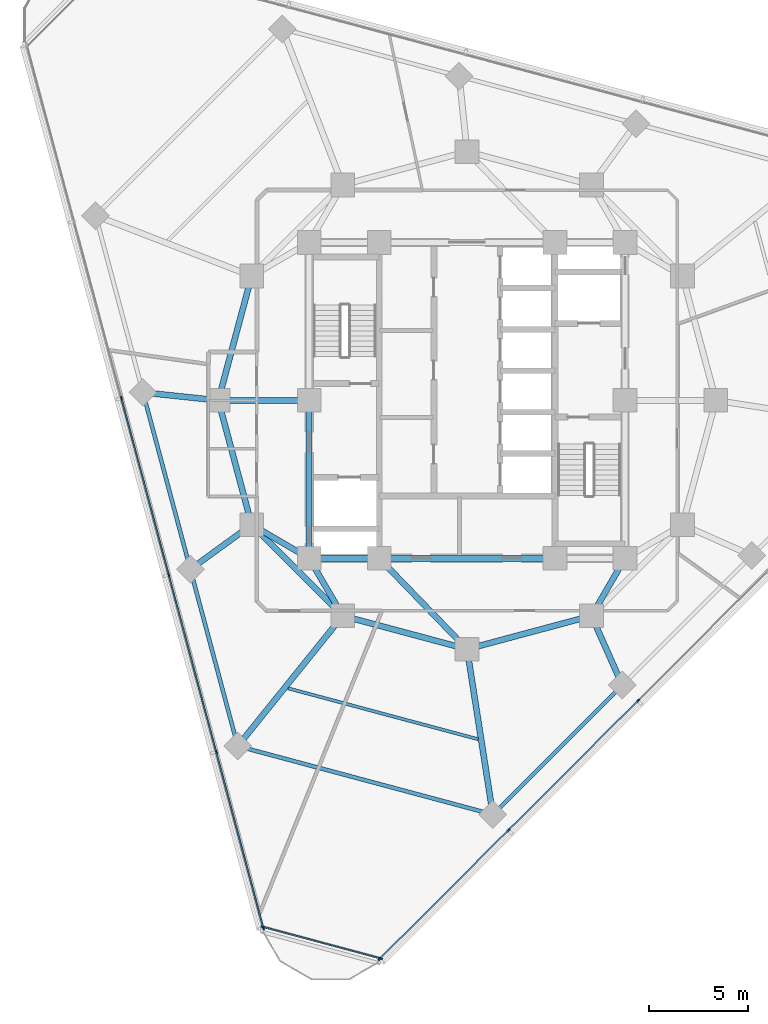
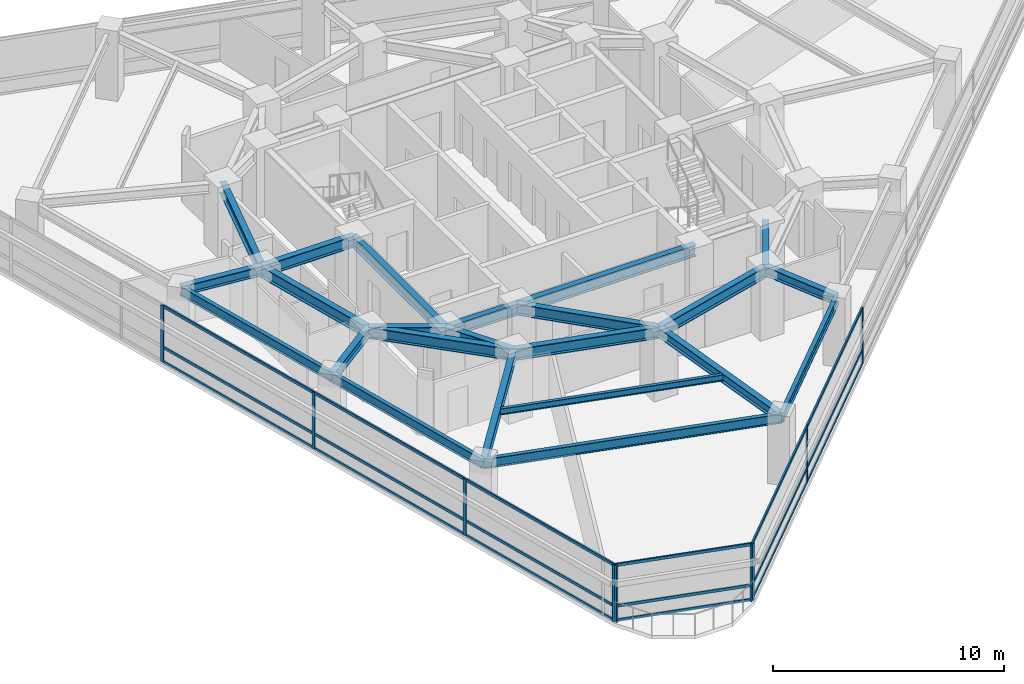
# One storey, part 2 of 13: 27 members, 23 beams, 3 elements without a shape of their own.
"""IFC4 building model written with IfcOpenShell, lengths in metres."""

from ifc_helpers import new_model, si_unit, direction, frame, origin, origin_2d, place, context, subcontext, project, spatial, rectangle, i_section, extrude, material, layer, layer_set, material_profile, profile_set, type_object, element, aggregate, save


model = new_model("IFC4")

# Units and contexts
model_context = context("Model", 3, precision=1e-05, world=origin(), true_north=direction((0.0, 1.0)))
body_context = subcontext(model_context, "Body", "Model", "MODEL_VIEW")
ifc_project = project(units=[si_unit("LENGTHUNIT", "METRE"), si_unit("AREAUNIT", "SQUARE_METRE"), si_unit("VOLUMEUNIT", "CUBIC_METRE"), si_unit("PLANEANGLEUNIT", "RADIAN"), si_unit("MASSUNIT", "GRAM", prefix="KILO")], contexts=[model_context])

# Site, building, storey
site_placement = place(None, origin())
site = spatial("IfcSite", under=ifc_project, at=site_placement, CompositionType="ELEMENT")
building_placement = place(site_placement, origin())
building = spatial("IfcBuilding", under=site, at=building_placement, Name="Terralouvre Media Tower", CompositionType="ELEMENT")
storey_placement = place(building_placement, frame((0.0, 0.0, 195.300048828125)))
storey = spatial("IfcBuildingStorey", under=building, at=storey_placement, Name="L50", CompositionType="ELEMENT", Elevation=195.300048828125)

# Beam
ifc_material_1 = material(Name="Structural steel S355J2", Category="steel")
ifc_material_profile_1 = material_profile(ifc_material_1, i_section(OverallWidth=0.159912109375, OverallDepth=0.330078125, WebThickness=0.007568359375, FlangeThickness=0.011474609375, at=origin_2d()), Name="IPE 330")
ifc_profile_set_1 = profile_set([ifc_material_profile_1], Name="Structural steel S355J2")
beam_type_1 = type_object("IfcBeamType", Name="Composite Floor Joist J-IPE330 (IPE 330)", PredefinedType="JOIST", material=ifc_profile_set_1)
beam_1_placement = place(storey_placement, frame((-9.067626953125, -14.58349609375, 3.3349609375), z_axis=(0.965923672222, -0.258827084055, 0.0), x_axis=(0.258827084055, 0.965923672222, 0.0)))
element("IfcBeam", 1, at=beam_1_placement, inside=storey, type_object=beam_type_1, Name="L50 Framing Beam JT-L50-01", PredefinedType="JOIST", context=body_context, shape_type="SweptSolid", body=[
    extrude(i_section(OverallWidth=0.159912109375, OverallDepth=0.330078125, WebThickness=0.007568359375, FlangeThickness=0.011474609375, at=origin_2d()), origin(), (0.0, 0.0, 1.0), 9.96826171875),
])

# Curtain wall, members
ifc_material_2 = material(Name="Low-iron laminated double glazing with solar-control coating", Category="glass")
ifc_layer_1 = layer(ifc_material_2, 0.1650390625, Name="Production Studio Tower Curtain Wall CW-03")
ifc_layer_set_1 = layer_set([ifc_layer_1], Name="Low-iron laminated double glazing with solar-control coating")
curtain_wall_type_1 = type_object("IfcCurtainWallType", Name="Production Studio Tower Curtain Wall CW-03", PredefinedType="NOTDEFINED", material=ifc_layer_set_1)
curtain_wall_1_placement = place(storey_placement, origin())
curtain_wall_1 = element("IfcCurtainWall", 2, at=curtain_wall_1_placement, inside=storey, type_object=curtain_wall_type_1, Name="L50 Facade Curtain Wall F0", PredefinedType="NOTDEFINED")
ifc_material_3 = material(Name="Anodised extruded aluminium 6063-T6", Category="aluminium")
ifc_material_profile_2 = material_profile(ifc_material_3, rectangle(XDim=0.074951171875, YDim=0.14990234375, at=origin_2d()), Name="ALU 75x150")
ifc_profile_set_2 = profile_set([ifc_material_profile_2], Name="Anodised extruded aluminium 6063-T6")
member_type_1 = type_object("IfcMemberType", Name="Curtain-Wall Horizontal Transom TR-150", PredefinedType="USERDEFINED", material=ifc_profile_set_2)
member_1_placement = place(storey_placement, frame((-4.399658203125, -28.27587890625, 0.037353515625), z_axis=(0.707106781187, 0.707106781187, 0.0), x_axis=(-0.707106781187, 0.707106781187, 0.0)))
member_1 = element("IfcMember", 3, at=member_1_placement, type_object=member_type_1, Name="CW-03 transom 1.1", ObjectType="TRANSOM", PredefinedType="USERDEFINED", context=body_context, shape_type="SweptSolid", body=[
    extrude(rectangle(XDim=0.074951171875, YDim=0.14990234375, at=origin_2d()), origin(), (0.0, 0.0, 1.0), 9.15966796875),
])
member_2_placement = place(storey_placement, frame((-4.399658203125, -28.27587890625, 0.800048828125), z_axis=(0.707106781187, 0.707106781187, 0.0), x_axis=(-0.707106781187, 0.707106781187, 0.0)))
member_2 = element("IfcMember", 4, at=member_2_placement, type_object=member_type_1, Name="CW-03 transom 1.2", ObjectType="TRANSOM", PredefinedType="USERDEFINED", context=body_context, shape_type="SweptSolid", body=[
    extrude(rectangle(XDim=0.074951171875, YDim=0.14990234375, at=origin_2d()), origin(), (0.0, 0.0, 1.0), 9.15966796875),
])
member_3_placement = place(storey_placement, frame((-4.399658203125, -28.27587890625, 2.96240234375), z_axis=(0.707106781187, 0.707106781187, 0.0), x_axis=(-0.707106781187, 0.707106781187, 0.0)))
member_3 = element("IfcMember", 5, at=member_3_placement, type_object=member_type_1, Name="CW-03 transom 1.3", ObjectType="TRANSOM", PredefinedType="USERDEFINED", context=body_context, shape_type="SweptSolid", body=[
    extrude(rectangle(XDim=0.074951171875, YDim=0.14990234375, at=origin_2d()), origin(), (0.0, 0.0, 1.0), 9.15966796875),
])
member_4_placement = place(storey_placement, frame((2.130126953125, -21.74609375, 0.037353515625), z_axis=(0.707093508293, 0.707120053831, 0.0), x_axis=(-0.707120053831, 0.707093508293, 0.0)))
member_4 = element("IfcMember", 6, at=member_4_placement, type_object=member_type_1, Name="CW-03 transom 2.1", ObjectType="TRANSOM", PredefinedType="USERDEFINED", context=body_context, shape_type="SweptSolid", body=[
    extrude(rectangle(XDim=0.074951171875, YDim=0.14990234375, at=origin_2d()), origin(), (0.0, 0.0, 1.0), 9.197021484375),
])
member_5_placement = place(storey_placement, frame((2.130126953125, -21.74609375, 0.800048828125), z_axis=(0.707093508293, 0.707120053831, 0.0), x_axis=(-0.707120053831, 0.707093508293, 0.0)))
member_5 = element("IfcMember", 7, at=member_5_placement, type_object=member_type_1, Name="CW-03 transom 2.2", ObjectType="TRANSOM", PredefinedType="USERDEFINED", context=body_context, shape_type="SweptSolid", body=[
    extrude(rectangle(XDim=0.074951171875, YDim=0.14990234375, at=origin_2d()), origin(), (0.0, 0.0, 1.0), 9.197021484375),
])
member_6_placement = place(storey_placement, frame((2.130126953125, -21.74609375, 2.96240234375), z_axis=(0.707093508293, 0.707120053831, 0.0), x_axis=(-0.707120053831, 0.707093508293, 0.0)))
member_6 = element("IfcMember", 8, at=member_6_placement, type_object=member_type_1, Name="CW-03 transom 2.3", ObjectType="TRANSOM", PredefinedType="USERDEFINED", context=body_context, shape_type="SweptSolid", body=[
    extrude(rectangle(XDim=0.074951171875, YDim=0.14990234375, at=origin_2d()), origin(), (0.0, 0.0, 1.0), 9.197021484375),
])

curtain_wall_2_placement = place(storey_placement, origin())
curtain_wall_2 = element("IfcCurtainWall", 9, at=curtain_wall_2_placement, inside=storey, type_object=curtain_wall_type_1, Name="L50 Facade Curtain Wall F2", PredefinedType="NOTDEFINED")
member_7_placement = place(storey_placement, frame((-17.497802734375, 0.072265625, 0.037353515625), z_axis=(0.25881569625, -0.965926723605, 0.0), x_axis=(0.965926723605, 0.25881569625, 0.0)))
member_7 = element("IfcMember", 10, at=member_7_placement, type_object=member_type_1, Name="CW-03 transom 3.1", ObjectType="TRANSOM", PredefinedType="USERDEFINED", context=body_context, shape_type="SweptSolid", body=[
    extrude(rectangle(XDim=0.074951171875, YDim=0.14990234375, at=origin_2d()), origin(), (0.0, 0.0, 1.0), 9.197265625),
])
member_8_placement = place(storey_placement, frame((-17.497802734375, 0.072265625, 0.800048828125), z_axis=(0.25881569625, -0.965926723605, 0.0), x_axis=(0.965926723605, 0.25881569625, 0.0)))
member_8 = element("IfcMember", 11, at=member_8_placement, type_object=member_type_1, Name="CW-03 transom 3.2", ObjectType="TRANSOM", PredefinedType="USERDEFINED", context=body_context, shape_type="SweptSolid", body=[
    extrude(rectangle(XDim=0.074951171875, YDim=0.14990234375, at=origin_2d()), origin(), (0.0, 0.0, 1.0), 9.197265625),
])
member_9_placement = place(storey_placement, frame((-17.497802734375, 0.072265625, 2.96240234375), z_axis=(0.25881569625, -0.965926723605, 0.0), x_axis=(0.965926723605, 0.25881569625, 0.0)))
member_9 = element("IfcMember", 12, at=member_9_placement, type_object=member_type_1, Name="CW-03 transom 3.3", ObjectType="TRANSOM", PredefinedType="USERDEFINED", context=body_context, shape_type="SweptSolid", body=[
    extrude(rectangle(XDim=0.074951171875, YDim=0.14990234375, at=origin_2d()), origin(), (0.0, 0.0, 1.0), 9.197265625),
])
member_10_placement = place(storey_placement, frame((-15.09814453125, -8.8837890625, 0.037353515625), z_axis=(0.25881569625, -0.965926723605, 0.0), x_axis=(0.965926723605, 0.25881569625, 0.0)))
member_10 = element("IfcMember", 13, at=member_10_placement, type_object=member_type_1, Name="CW-03 transom 4.1", ObjectType="TRANSOM", PredefinedType="USERDEFINED", context=body_context, shape_type="SweptSolid", body=[
    extrude(rectangle(XDim=0.074951171875, YDim=0.14990234375, at=origin_2d()), origin(), (0.0, 0.0, 1.0), 9.197265625),
])
member_11_placement = place(storey_placement, frame((-15.09814453125, -8.8837890625, 0.800048828125), z_axis=(0.25881569625, -0.965926723605, 0.0), x_axis=(0.965926723605, 0.25881569625, 0.0)))
member_11 = element("IfcMember", 14, at=member_11_placement, type_object=member_type_1, Name="CW-03 transom 4.2", ObjectType="TRANSOM", PredefinedType="USERDEFINED", context=body_context, shape_type="SweptSolid", body=[
    extrude(rectangle(XDim=0.074951171875, YDim=0.14990234375, at=origin_2d()), origin(), (0.0, 0.0, 1.0), 9.197265625),
])
member_12_placement = place(storey_placement, frame((-15.09814453125, -8.8837890625, 2.96240234375), z_axis=(0.25881569625, -0.965926723605, 0.0), x_axis=(0.965926723605, 0.25881569625, 0.0)))
member_12 = element("IfcMember", 15, at=member_12_placement, type_object=member_type_1, Name="CW-03 transom 4.3", ObjectType="TRANSOM", PredefinedType="USERDEFINED", context=body_context, shape_type="SweptSolid", body=[
    extrude(rectangle(XDim=0.074951171875, YDim=0.14990234375, at=origin_2d()), origin(), (0.0, 0.0, 1.0), 9.197265625),
])
member_13_placement = place(storey_placement, frame((-12.6982421875, -17.83984375, 0.037353515625), z_axis=(0.25881380313, -0.965927230856, 0.0), x_axis=(0.965927230856, 0.25881380313, 0.0)))
member_13 = element("IfcMember", 16, at=member_13_placement, type_object=member_type_1, Name="CW-03 transom 5.1", ObjectType="TRANSOM", PredefinedType="USERDEFINED", context=body_context, shape_type="SweptSolid", body=[
    extrude(rectangle(XDim=0.074951171875, YDim=0.14990234375, at=origin_2d()), origin(), (0.0, 0.0, 1.0), 9.159423828125),
])
member_14_placement = place(storey_placement, frame((-12.6982421875, -17.83984375, 0.800048828125), z_axis=(0.25881380313, -0.965927230856, 0.0), x_axis=(0.965927230856, 0.25881380313, 0.0)))
member_14 = element("IfcMember", 17, at=member_14_placement, type_object=member_type_1, Name="CW-03 transom 5.2", ObjectType="TRANSOM", PredefinedType="USERDEFINED", context=body_context, shape_type="SweptSolid", body=[
    extrude(rectangle(XDim=0.074951171875, YDim=0.14990234375, at=origin_2d()), origin(), (0.0, 0.0, 1.0), 9.159423828125),
])
member_15_placement = place(storey_placement, frame((-12.6982421875, -17.83984375, 2.96240234375), z_axis=(0.25881380313, -0.965927230856, 0.0), x_axis=(0.965927230856, 0.25881380313, 0.0)))
member_15 = element("IfcMember", 18, at=member_15_placement, type_object=member_type_1, Name="CW-03 transom 5.3", ObjectType="TRANSOM", PredefinedType="USERDEFINED", context=body_context, shape_type="SweptSolid", body=[
    extrude(rectangle(XDim=0.074951171875, YDim=0.14990234375, at=origin_2d()), origin(), (0.0, 0.0, 1.0), 9.159423828125),
])

ifc_material_4 = material(Name="Low-iron laminated double glazing with solar-control coating", Category="glass")
ifc_layer_2 = layer(ifc_material_4, 0.1650390625, Name="Rounded Wind-Corner Curved Glazing CW-04")
ifc_layer_set_2 = layer_set([ifc_layer_2], Name="Low-iron laminated double glazing with solar-control coating")
curtain_wall_type_2 = type_object("IfcCurtainWallType", Name="Rounded Wind-Corner Curved Glazing CW-04", PredefinedType="NOTDEFINED", material=ifc_layer_set_2)
curtain_wall_3_placement = place(storey_placement, origin())
curtain_wall_3 = element("IfcCurtainWall", 19, at=curtain_wall_3_placement, inside=storey, type_object=curtain_wall_type_2, Name="L50 Rounded Wind-Corner Curtain Wall C0", PredefinedType="NOTDEFINED")
member_16_placement = place(storey_placement, frame((-10.3154296875, -26.675048828125, 0.037353515625), z_axis=(0.965924368155, -0.25882448687, 0.0), x_axis=(0.25882448687, 0.965924368155, 0.0)))
member_16 = element("IfcMember", 20, at=member_16_placement, type_object=member_type_1, Name="CW-04 transom 1.1", ObjectType="TRANSOM", PredefinedType="USERDEFINED", context=body_context, shape_type="SweptSolid", body=[
    extrude(rectangle(XDim=0.074951171875, YDim=0.14990234375, at=origin_2d()), origin(), (0.0, 0.0, 1.0), 6.119873046875),
])
member_17_placement = place(storey_placement, frame((-10.3154296875, -26.675048828125, 0.800048828125), z_axis=(0.965924368155, -0.25882448687, 0.0), x_axis=(0.25882448687, 0.965924368155, 0.0)))
member_17 = element("IfcMember", 21, at=member_17_placement, type_object=member_type_1, Name="CW-04 transom 1.2", ObjectType="TRANSOM", PredefinedType="USERDEFINED", context=body_context, shape_type="SweptSolid", body=[
    extrude(rectangle(XDim=0.074951171875, YDim=0.14990234375, at=origin_2d()), origin(), (0.0, 0.0, 1.0), 6.119873046875),
])
member_18_placement = place(storey_placement, frame((-10.3154296875, -26.675048828125, 2.96240234375), z_axis=(0.965924368155, -0.25882448687, 0.0), x_axis=(0.25882448687, 0.965924368155, 0.0)))
member_18 = element("IfcMember", 22, at=member_18_placement, type_object=member_type_1, Name="CW-04 transom 1.3", ObjectType="TRANSOM", PredefinedType="USERDEFINED", context=body_context, shape_type="SweptSolid", body=[
    extrude(rectangle(XDim=0.074951171875, YDim=0.14990234375, at=origin_2d()), origin(), (0.0, 0.0, 1.0), 6.119873046875),
])

# Member
ifc_material_5 = material(Name="Anodised extruded aluminium 6063-T6", Category="aluminium")
ifc_material_profile_3 = material_profile(ifc_material_5, rectangle(XDim=0.074951171875, YDim=0.179931640625, at=origin_2d()), Name="ALU 75x180")
ifc_profile_set_3 = profile_set([ifc_material_profile_3], Name="Anodised extruded aluminium 6063-T6")
member_type_2 = type_object("IfcMemberType", Name="Curtain-Wall Vertical Mullion ML-180", PredefinedType="MULLION", material=ifc_profile_set_3)
member_19_placement = place(storey_placement, frame((-4.42626953125, -28.30224609375, 0.0), z_axis=(0.0, 0.0, 1.0), x_axis=(-0.707106781187, 0.707106781187, 0.0)))
member_19 = element("IfcMember", 23, at=member_19_placement, type_object=member_type_2, Name="CW-03 mullion 1", PredefinedType="MULLION", context=body_context, shape_type="SweptSolid", body=[
    extrude(rectangle(XDim=0.074951171875, YDim=0.179931640625, at=origin_2d()), origin(), (0.0, 0.0, 1.0), 3.0),
])

member_20_placement = place(storey_placement, frame((2.103515625, -21.7724609375, 0.0), z_axis=(0.0, 0.0, 1.0), x_axis=(-0.707106781187, 0.707106781187, 0.0)))
member_20 = element("IfcMember", 24, at=member_20_placement, type_object=member_type_2, Name="CW-03 mullion 2", PredefinedType="MULLION", context=body_context, shape_type="SweptSolid", body=[
    extrude(rectangle(XDim=0.074951171875, YDim=0.179931640625, at=origin_2d()), origin(), (0.0, 0.0, 1.0), 3.0),
])

member_21_placement = place(storey_placement, frame((8.659912109375, -15.21630859375, 0.0), z_axis=(0.0, 0.0, 1.0), x_axis=(-0.707106781187, 0.707106781187, 0.0)))
member_21 = element("IfcMember", 25, at=member_21_placement, type_object=member_type_2, Name="CW-03 mullion 3", PredefinedType="MULLION", context=body_context, shape_type="SweptSolid", body=[
    extrude(rectangle(XDim=0.074951171875, YDim=0.179931640625, at=origin_2d()), origin(), (0.0, 0.0, 1.0), 3.0),
])

aggregate(curtain_wall_1, [member_19, member_20, member_21, member_1, member_2, member_3, member_4, member_5, member_6])

member_22_placement = place(storey_placement, frame((-17.507568359375, 0.1083984375, 0.0), z_axis=(0.0, 0.0, 1.0), x_axis=(0.96592582942, 0.25881903342, 0.0)))
member_22 = element("IfcMember", 26, at=member_22_placement, type_object=member_type_2, Name="CW-03 mullion 3", PredefinedType="MULLION", context=body_context, shape_type="SweptSolid", body=[
    extrude(rectangle(XDim=0.074951171875, YDim=0.179931640625, at=origin_2d()), origin(), (0.0, 0.0, 1.0), 3.0),
])

member_23_placement = place(storey_placement, frame((-15.10791015625, -8.84765625, 0.0), z_axis=(0.0, 0.0, 1.0), x_axis=(0.96592582942, 0.25881903342, 0.0)))
member_23 = element("IfcMember", 27, at=member_23_placement, type_object=member_type_2, Name="CW-03 mullion 4", PredefinedType="MULLION", context=body_context, shape_type="SweptSolid", body=[
    extrude(rectangle(XDim=0.074951171875, YDim=0.179931640625, at=origin_2d()), origin(), (0.0, 0.0, 1.0), 3.0),
])

member_24_placement = place(storey_placement, frame((-12.7080078125, -17.8037109375, 0.0), z_axis=(0.0, 0.0, 1.0), x_axis=(0.96592582942, 0.25881903342, 0.0)))
member_24 = element("IfcMember", 28, at=member_24_placement, type_object=member_type_2, Name="CW-03 mullion 5", PredefinedType="MULLION", context=body_context, shape_type="SweptSolid", body=[
    extrude(rectangle(XDim=0.074951171875, YDim=0.179931640625, at=origin_2d()), origin(), (0.0, 0.0, 1.0), 3.0),
])

member_25_placement = place(storey_placement, frame((-10.31787109375, -26.7236328125, 0.0), z_axis=(0.0, 0.0, 1.0), x_axis=(0.96592582942, 0.25881903342, 0.0)))
member_25 = element("IfcMember", 29, at=member_25_placement, type_object=member_type_2, Name="CW-03 mullion 6", PredefinedType="MULLION", context=body_context, shape_type="SweptSolid", body=[
    extrude(rectangle(XDim=0.074951171875, YDim=0.179931640625, at=origin_2d()), origin(), (0.0, 0.0, 1.0), 3.0),
])

aggregate(curtain_wall_2, [member_22, member_23, member_24, member_25, member_7, member_8, member_9, member_10, member_11, member_12, member_13, member_14, member_15])

member_26_placement = place(storey_placement, frame((-10.351806640625, -26.665283203125, 0.0), z_axis=(0.0, 0.0, 1.0), x_axis=(0.258818728144, 0.965925911218, 0.0)))
member_26 = element("IfcMember", 30, at=member_26_placement, type_object=member_type_2, Name="CW-04 mullion 1", PredefinedType="MULLION", context=body_context, shape_type="SweptSolid", body=[
    extrude(rectangle(XDim=0.074951171875, YDim=0.179931640625, at=origin_2d()), origin(), (0.0, 0.0, 1.0), 3.0),
])

member_27_placement = place(storey_placement, frame((-4.367919921875, -28.268798828125, 0.0), z_axis=(0.0, 0.0, 1.0), x_axis=(0.258818728144, 0.965925911218, 0.0)))
member_27 = element("IfcMember", 31, at=member_27_placement, type_object=member_type_2, Name="CW-04 mullion 2", PredefinedType="MULLION", context=body_context, shape_type="SweptSolid", body=[
    extrude(rectangle(XDim=0.074951171875, YDim=0.179931640625, at=origin_2d()), origin(), (0.0, 0.0, 1.0), 3.0),
])

aggregate(curtain_wall_3, [member_26, member_27, member_16, member_17, member_18])

# Beams
ifc_material_6 = material(Name="Structural steel S355J2", Category="steel")
ifc_material_profile_4 = material_profile(ifc_material_6, i_section(OverallWidth=0.199951171875, OverallDepth=0.5, WebThickness=0.01025390625, FlangeThickness=0.01611328125, at=origin_2d()), Name="IPE 500")
ifc_profile_set_4 = profile_set([ifc_material_profile_4], Name="Structural steel S355J2")
beam_type_2 = type_object("IfcBeamType", Name="Perimeter Spandrel Beam SPB-500 (IPE 500)", PredefinedType="SPANDREL", material=ifc_profile_set_4)
beam_2_placement = place(storey_placement, frame((-14.016357421875, -8.55517578125, 3.25), z_axis=(0.258832601786, -0.965922193685, 0.0), x_axis=(0.965922193685, 0.258832601786, 0.0)))
element("IfcBeam", 32, at=beam_2_placement, inside=storey, type_object=beam_type_2, Name="L50 Framing Beam BM-L50-PR01", PredefinedType="SPANDREL", context=body_context, shape_type="SweptSolid", body=[
    extrude(i_section(OverallWidth=0.199951171875, OverallDepth=0.5, WebThickness=0.01025390625, FlangeThickness=0.01611328125, at=origin_2d()), origin(), (0.0, 0.0, 1.0), 9.27197265625),
])
beam_3_placement = place(storey_placement, frame((-11.616455078125, -17.51123046875, 3.25), z_axis=(0.965926789058, -0.258815451972, 0.0), x_axis=(0.258815451972, 0.965926789058, 0.0)))
element("IfcBeam", 33, at=beam_3_placement, inside=storey, type_object=beam_type_2, Name="L50 Framing Beam BM-L50-PR02", PredefinedType="SPANDREL", context=body_context, shape_type="SweptSolid", body=[
    extrude(i_section(OverallWidth=0.199951171875, OverallDepth=0.5, WebThickness=0.01025390625, FlangeThickness=0.01611328125, at=origin_2d()), origin(), (0.0, 0.0, 1.0), 13.376953125),
])
beam_4_placement = place(storey_placement, frame((1.3046875, -20.973388671875, 3.25), z_axis=(0.707106781187, 0.707106781187, 0.0), x_axis=(-0.707106781187, 0.707106781187, 0.0)))
element("IfcBeam", 34, at=beam_4_placement, inside=storey, type_object=beam_type_2, Name="L50 Framing Beam BM-L50-PR03", PredefinedType="SPANDREL", context=body_context, shape_type="SweptSolid", body=[
    extrude(i_section(OverallWidth=0.199951171875, OverallDepth=0.5, WebThickness=0.01025390625, FlangeThickness=0.01611328125, at=origin_2d()), origin(), (0.0, 0.0, 1.0), 9.271728515625),
])
beam_5_placement = place(storey_placement, frame((-16.416015625, 0.40087890625, 3.25), z_axis=(0.258808034669, -0.965928776458, 0.0), x_axis=(0.965928776458, 0.258808034669, 0.0)))
element("IfcBeam", 35, at=beam_5_placement, inside=storey, type_object=beam_type_2, Name="L50 Framing Beam BM-L50-PR12", PredefinedType="SPANDREL", context=body_context, shape_type="SweptSolid", body=[
    extrude(i_section(OverallWidth=0.199951171875, OverallDepth=0.5, WebThickness=0.01025390625, FlangeThickness=0.01611328125, at=origin_2d()), origin(), (0.0, 0.0, 1.0), 9.27197265625),
])
ifc_material_7 = material(Name="Structural steel S355J2", Category="steel")
ifc_material_profile_5 = material_profile(ifc_material_7, i_section(OverallWidth=0.300048828125, OverallDepth=0.5, WebThickness=0.014404296875, FlangeThickness=0.028076171875, at=origin_2d()), Name="HEB 500")
ifc_profile_set_5 = profile_set([ifc_material_profile_5], Name="Structural steel S355J2")
beam_type_3 = type_object("IfcBeamType", Name="Primary Floor Girder B-HEB500 (HEB 500)", PredefinedType="BEAM", material=ifc_profile_set_5)
beam_6_placement = place(storey_placement, frame((-10.911865234375, -6.300048828125, 3.25), z_axis=(-0.809068873767, -0.587713839807, 0.0), x_axis=(0.587713839807, -0.809068873767, 0.0)))
element("IfcBeam", 36, at=beam_6_placement, inside=storey, type_object=beam_type_3, Name="L50 Framing Beam BM-L50-RD01", PredefinedType="BEAM", context=body_context, shape_type="SweptSolid", body=[
    extrude(i_section(OverallWidth=0.300048828125, OverallDepth=0.5, WebThickness=0.014404296875, FlangeThickness=0.028076171875, at=origin_2d()), origin(), (0.0, 0.0, 1.0), 3.837158203125),
])
for number, where, z_axis, x_axis, name in (
    (37, (-6.300048828125, -10.911865234375, 3.25), (-0.62734749454, -0.778739443649, 0.0), (0.778739443649, -0.62734749454, 0.0), "L50 Framing Beam BM-L50-RD02"),
    (38, (0.0, -12.60009765625, 3.25), (0.153957660154, -0.988077445791, 0.0), (0.988077445791, 0.153957660154, 0.0), "L50 Framing Beam BM-L50-RD03"),
):
    element("IfcBeam", number, at=place(storey_placement, frame(where, z_axis=z_axis, x_axis=x_axis)), inside=storey, type_object=beam_type_3, Name=name, PredefinedType="BEAM", context=body_context, shape_type="SweptSolid", body=[
        extrude(i_section(OverallWidth=0.300048828125, OverallDepth=0.5, WebThickness=0.014404296875, FlangeThickness=0.028076171875, at=origin_2d()), origin(), (0.0, 0.0, 1.0), 8.474365234375),
    ])
beam_7_placement = place(storey_placement, frame((6.300048828125, -10.911865234375, 3.25), z_axis=(0.406758229915, -0.913535846257, 0.0), x_axis=(0.913535846257, 0.406758229915, 0.0)))
element("IfcBeam", 39, at=beam_7_placement, inside=storey, type_object=beam_type_3, Name="L50 Framing Beam BM-L50-RD04", PredefinedType="BEAM", context=body_context, shape_type="SweptSolid", body=[
    extrude(i_section(OverallWidth=0.300048828125, OverallDepth=0.5, WebThickness=0.014404296875, FlangeThickness=0.028076171875, at=origin_2d()), origin(), (0.0, 0.0, 1.0), 3.837158203125),
])
beam_8_placement = place(storey_placement, frame((-12.60009765625, 0.0, 3.25), z_axis=(-0.994527048272, 0.104479425033, 0.0), x_axis=(-0.104479425033, -0.994527048272, 0.0)))
element("IfcBeam", 40, at=beam_8_placement, inside=storey, type_object=beam_type_3, Name="L50 Framing Beam BM-L50-RD12", PredefinedType="BEAM", context=body_context, shape_type="SweptSolid", body=[
    extrude(i_section(OverallWidth=0.300048828125, OverallDepth=0.5, WebThickness=0.014404296875, FlangeThickness=0.028076171875, at=origin_2d()), origin(), (0.0, 0.0, 1.0), 3.8369140625),
])
ifc_material_8 = material(Name="Structural steel S460M", Category="steel")
ifc_material_profile_6 = material_profile(ifc_material_8, i_section(OverallWidth=0.300048828125, OverallDepth=0.60009765625, WebThickness=0.015380859375, FlangeThickness=0.030029296875, at=origin_2d()), Name="HEB 600")
ifc_profile_set_6 = profile_set([ifc_material_profile_6], Name="Structural steel S460M")
beam_type_4 = type_object("IfcBeamType", Name="Primary Floor Girder B-HEB600 (HEB 600)", PredefinedType="BEAM", material=ifc_profile_set_6)
beam_9_placement = place(storey_placement, frame((-8.0, -8.0, 3.199951171875), z_axis=(1.0, 0.0, 0.0), x_axis=(0.0, 1.0, 0.0)))
element("IfcBeam", 41, at=beam_9_placement, inside=storey, type_object=beam_type_4, Name="L50 Framing Beam BM-L50-CPR01", PredefinedType="BEAM", context=body_context, shape_type="SweptSolid", body=[
    extrude(i_section(OverallWidth=0.300048828125, OverallDepth=0.60009765625, WebThickness=0.015380859375, FlangeThickness=0.030029296875, at=origin_2d()), origin(), (0.0, 0.0, 1.0), 3.550048828125),
])
beam_10_placement = place(storey_placement, frame((-4.449951171875, -8.0, 3.199951171875), z_axis=(1.0, 0.0, 0.0), x_axis=(0.0, 1.0, 0.0)))
element("IfcBeam", 42, at=beam_10_placement, inside=storey, type_object=beam_type_4, Name="L50 Framing Beam BM-L50-CPR02", PredefinedType="BEAM", context=body_context, shape_type="SweptSolid", body=[
    extrude(i_section(OverallWidth=0.300048828125, OverallDepth=0.60009765625, WebThickness=0.015380859375, FlangeThickness=0.030029296875, at=origin_2d()), origin(), (0.0, 0.0, 1.0), 8.89990234375),
])
beam_11_placement = place(storey_placement, frame((-8.0, 0.0, 3.199951171875), z_axis=(0.0, -1.0, 0.0), x_axis=(1.0, 0.0, 0.0)))
element("IfcBeam", 43, at=beam_11_placement, inside=storey, type_object=beam_type_4, Name="L50 Framing Beam BM-L50-CPR10", PredefinedType="BEAM", context=body_context, shape_type="SweptSolid", body=[
    extrude(i_section(OverallWidth=0.300048828125, OverallDepth=0.60009765625, WebThickness=0.015380859375, FlangeThickness=0.030029296875, at=origin_2d()), origin(), (0.0, 0.0, 1.0), 8.0),
])
beam_12_placement = place(storey_placement, frame((-10.911865234375, -6.300048828125, 3.199951171875), z_axis=(0.707106781187, -0.707106781187, 0.0), x_axis=(0.707106781187, 0.707106781187, 0.0)))
element("IfcBeam", 44, at=beam_12_placement, inside=storey, type_object=beam_type_4, Name="L50 Framing Beam BM-L50-MR01", PredefinedType="BEAM", context=body_context, shape_type="SweptSolid", body=[
    extrude(i_section(OverallWidth=0.300048828125, OverallDepth=0.60009765625, WebThickness=0.015380859375, FlangeThickness=0.030029296875, at=origin_2d()), origin(), (0.0, 0.0, 1.0), 6.52197265625),
])
for number, where, z_axis, x_axis, name in (
    (45, (-6.300048828125, -10.911865234375, 3.199951171875), (0.965920481897, -0.258838989821, 0.0), (0.258838989821, 0.965920481897, 0.0), "L50 Framing Beam BM-L50-MR02"),
    (46, (0.0, -12.60009765625, 3.199951171875), (0.965920481897, 0.258838989821, 0.0), (-0.258838989821, 0.965920481897, 0.0), "L50 Framing Beam BM-L50-MR03"),
    (47, (-10.911865234375, 6.300048828125, 3.199951171875), (-0.258838989821, -0.965920481897, 0.0), (0.965920481897, -0.258838989821, 0.0), "L50 Framing Beam BM-L50-MR11"),
    (48, (-12.60009765625, 0.0, 3.199951171875), (0.258838989821, -0.965920481897, 0.0), (0.965920481897, 0.258838989821, 0.0), "L50 Framing Beam BM-L50-MR12"),
):
    element("IfcBeam", number, at=place(storey_placement, frame(where, z_axis=z_axis, x_axis=x_axis)), inside=storey, type_object=beam_type_4, Name=name, PredefinedType="BEAM", context=body_context, shape_type="SweptSolid", body=[
        extrude(i_section(OverallWidth=0.300048828125, OverallDepth=0.60009765625, WebThickness=0.015380859375, FlangeThickness=0.030029296875, at=origin_2d()), origin(), (0.0, 0.0, 1.0), 6.522216796875),
    ])
for number, where, z_axis, x_axis, name in (
    (49, (-8.0, -8.0, 3.199951171875), (-0.863602894532, 0.504172629717, 0.0), (-0.504172629717, -0.863602894532, 0.0), "L50 Framing Beam BM-L50-CM01"),
    (50, (-8.0, -8.0, 3.199951171875), (0.504172629717, -0.863602894532, 0.0), (0.863602894532, 0.504172629717, 0.0), "L50 Framing Beam BM-L50-CM02"),
):
    element("IfcBeam", number, at=place(storey_placement, frame(where, z_axis=z_axis, x_axis=x_axis)), inside=storey, type_object=beam_type_4, Name=name, PredefinedType="BEAM", context=body_context, shape_type="SweptSolid", body=[
        extrude(i_section(OverallWidth=0.300048828125, OverallDepth=0.60009765625, WebThickness=0.015380859375, FlangeThickness=0.030029296875, at=origin_2d()), origin(), (0.0, 0.0, 1.0), 3.371826171875),
    ])
beam_13_placement = place(storey_placement, frame((-4.449951171875, -8.0, 3.199951171875), z_axis=(0.695279715726, -0.718739255155, 0.0), x_axis=(0.718739255155, 0.695279715726, 0.0)))
element("IfcBeam", 51, at=beam_13_placement, inside=storey, type_object=beam_type_4, Name="L50 Framing Beam BM-L50-CM03", PredefinedType="BEAM", context=body_context, shape_type="SweptSolid", body=[
    extrude(i_section(OverallWidth=0.300048828125, OverallDepth=0.60009765625, WebThickness=0.015380859375, FlangeThickness=0.030029296875, at=origin_2d()), origin(), (0.0, 0.0, 1.0), 6.400146484375),
])
beam_14_placement = place(storey_placement, frame((8.0, -8.0, 3.199951171875), z_axis=(-0.504172629717, -0.863602894532, 0.0), x_axis=(0.863602894532, -0.504172629717, 0.0)))
element("IfcBeam", 52, at=beam_14_placement, inside=storey, type_object=beam_type_4, Name="L50 Framing Beam BM-L50-CM04", PredefinedType="BEAM", context=body_context, shape_type="SweptSolid", body=[
    extrude(i_section(OverallWidth=0.300048828125, OverallDepth=0.60009765625, WebThickness=0.015380859375, FlangeThickness=0.030029296875, at=origin_2d()), origin(), (0.0, 0.0, 1.0), 3.371826171875),
])
beam_15_placement = place(storey_placement, frame((-8.0, 0.0, 3.199951171875), z_axis=(-1.0, 0.0, 0.0), x_axis=(0.0, -1.0, 0.0)))
element("IfcBeam", 53, at=beam_15_placement, inside=storey, type_object=beam_type_4, Name="L50 Framing Beam BM-L50-CM12", PredefinedType="BEAM", context=body_context, shape_type="SweptSolid", body=[
    extrude(i_section(OverallWidth=0.300048828125, OverallDepth=0.60009765625, WebThickness=0.015380859375, FlangeThickness=0.030029296875, at=origin_2d()), origin(), (0.0, 0.0, 1.0), 4.60009765625),
])

save(model, "model.ifc")
